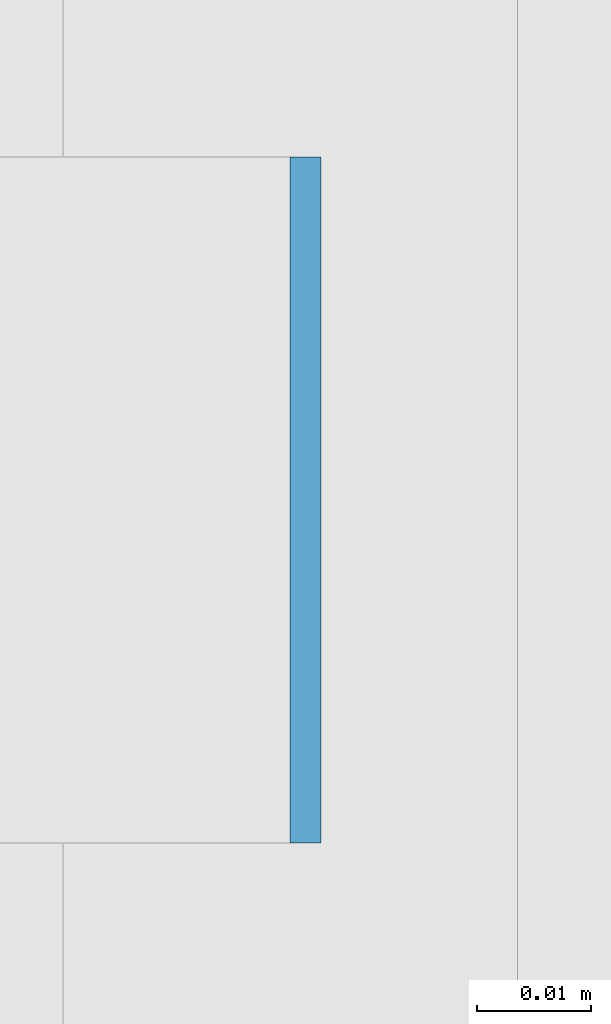
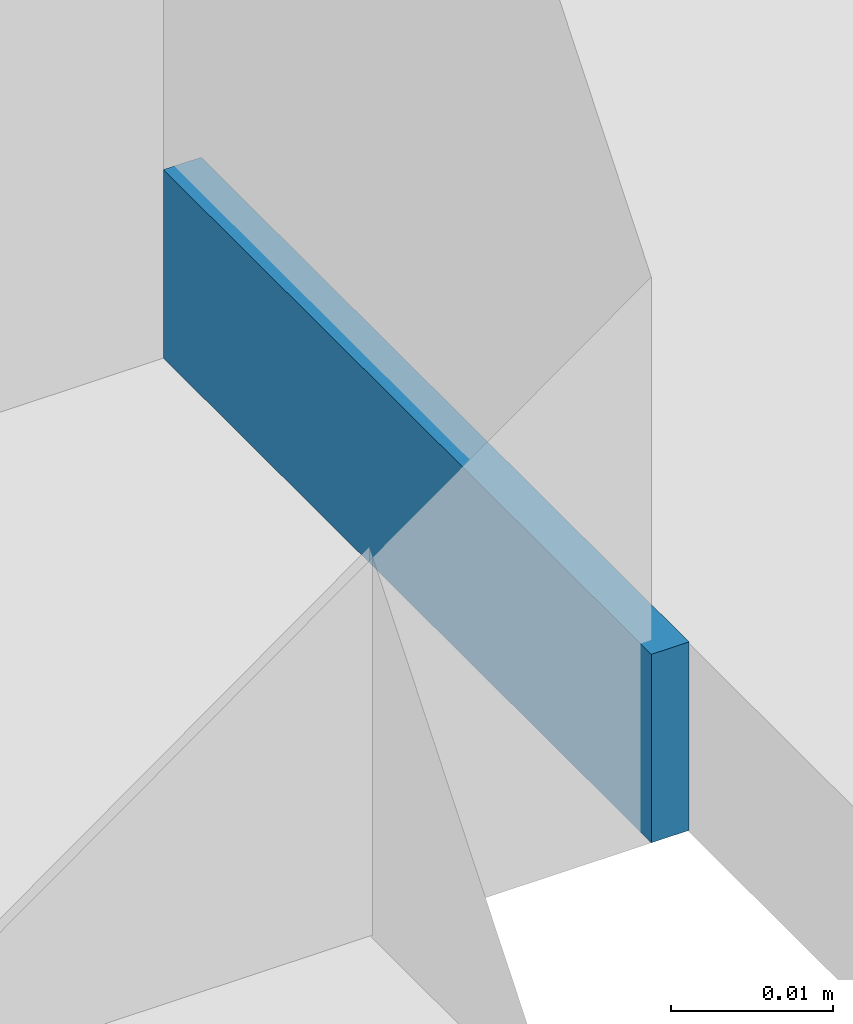
# One storey, part 392 of 646: 1 discrete accessory.
"""IFC4 building model written with IfcOpenShell, lengths in metres."""

import ifcopenshell
import ifcopenshell.guid

model = None  # the IFC model being written
_history = None  # IfcOwnerHistory: only IFC2X3 demands one
_inside = {}  # id of a spatial element -> (the spatial element, [elements in it])
_under = {}  # id of a project, library or spatial element -> (it, [spatial elements below it])
_declared = {}  # id of a project -> (the project, [libraries it declares])
_typed = {}  # id of a type object -> (the type object, [elements of that type])
_made_of = {}  # id of a material, layer set ... -> (it, [elements and type objects made of it])


def new_model(schema):
    """Start an empty IFC model of exactly this schema.

    Asked for "IFC4X3", IfcOpenShell would pick the latest addendum, in which some entities
    have other attributes; the version numbers below select the first issue.
    IFC2X3 requires an IfcOwnerHistory on every rooted entity: one is made here for all.
    """
    global model, _history
    if schema == "IFC4X3":
        model = ifcopenshell.file(schema_version=(4, 3, 0, 0))
    else:
        model = ifcopenshell.file(schema=schema)
    _inside.clear()
    _under.clear()
    _declared.clear()
    _typed.clear()
    _made_of.clear()
    _history = None
    if model.schema == "IFC2X3":
        org = make("IfcOrganization", Name="unknown")
        user = make(
            "IfcPersonAndOrganization",
            ThePerson=make("IfcPerson", FamilyName="unknown"),
            TheOrganization=org,
        )
        app = make(
            "IfcApplication",
            ApplicationDeveloper=org,
            Version="unknown",
            ApplicationFullName="unknown",
            ApplicationIdentifier="unknown",
        )
        _history = make(
            "IfcOwnerHistory",
            OwningUser=user,
            OwningApplication=app,
            ChangeAction="ADDED",
            CreationDate=0,
        )
    return model


def make(cls, **values):
    """One entity of the class cls with the attributes given. An attribute that is None is left unset."""
    return model.create_entity(
        cls, **{name: value for name, value in values.items() if value is not None}
    )


def rooted(cls, **values):
    """An entity with a GlobalId (a new one), such as an element, a storey or a relation."""
    return make(cls, GlobalId=ifcopenshell.guid.new(), OwnerHistory=_history, **values)


def si_unit(unit_type, name, prefix=None):
    """IfcSIUnit, for example si_unit("LENGTHUNIT", "METRE", prefix="MILLI")."""
    return make("IfcSIUnit", UnitType=unit_type, Prefix=prefix, Name=name)


def assignment(units):
    """IfcUnitAssignment: the units of a project."""
    return None if units is None else make("IfcUnitAssignment", Units=units)


def point(xyz):
    """IfcCartesianPoint."""
    return None if xyz is None else make("IfcCartesianPoint", Coordinates=xyz)


def direction(xyz):
    """IfcDirection."""
    return None if xyz is None else make("IfcDirection", DirectionRatios=xyz)


def frame(location, z_axis=None, x_axis=None):
    """IfcAxis2Placement3D, a coordinate frame: its origin and axes. An axis left out is left unset."""
    return make(
        "IfcAxis2Placement3D",
        Location=point(location),
        Axis=direction(z_axis),
        RefDirection=direction(x_axis),
    )


def frame_2d(location, x_axis=None):
    """IfcAxis2Placement2D, a coordinate frame in the plane: its origin and x axis."""
    return make(
        "IfcAxis2Placement2D", Location=point(location), RefDirection=direction(x_axis)
    )


def origin():
    """The frame at (0, 0, 0) with its axes left unset."""
    return frame((0.0, 0.0, 0.0))


def origin_2d():
    """The frame at (0, 0) in the plane with its x axis left unset."""
    return frame_2d((0.0, 0.0))


def place(relative_to, where):
    """IfcLocalPlacement: puts the frame where relative to a parent placement (None: the world)."""
    return make(
        "IfcLocalPlacement", PlacementRelTo=relative_to, RelativePlacement=where
    )


def context(
    kind, dimensions, precision=None, world=None, true_north=None, identifier=None
):
    """IfcGeometricRepresentationContext, for example the 3D "Model" context."""
    return make(
        "IfcGeometricRepresentationContext",
        ContextIdentifier=identifier,
        ContextType=kind,
        CoordinateSpaceDimension=dimensions,
        Precision=precision,
        WorldCoordinateSystem=world,
        TrueNorth=true_north,
    )


def subcontext(parent, identifier, kind, view, scale=None):
    """IfcGeometricRepresentationSubContext, for example "Body" below "Model"."""
    return make(
        "IfcGeometricRepresentationSubContext",
        ContextIdentifier=identifier,
        ContextType=kind,
        ParentContext=parent,
        TargetScale=scale,
        TargetView=view,
    )


def project(units=None, contexts=None):
    """IfcProject with its units and contexts."""
    return rooted(
        "IfcProject",
        Name="project",
        RepresentationContexts=contexts,
        UnitsInContext=assignment(units),
    )


def spatial(cls, under=None, at=None, **own):
    """A site, building, storey or space (cls), placed at a placement, below another one or the project."""
    s = rooted(cls, ObjectPlacement=at, **own)
    if under is not None:
        _under.setdefault(under.id(), (under, []))[1].append(s)
    return s


def profile(cls, at=None, kind="AREA", **sizes):
    """A parametric profile (cls). Its sizes go by their IFC names, for example OverallWidth=200.0."""
    return make(cls, ProfileType=kind, Position=at, **sizes)


def rectangle(**sizes):
    """IfcRectangleProfileDef."""
    return profile("IfcRectangleProfileDef", **sizes)


def extrude(swept, where, along, depth):
    """IfcExtrudedAreaSolid: the profile swept, set in the frame where, extruded along a direction by depth."""
    return make(
        "IfcExtrudedAreaSolid",
        SweptArea=swept,
        Position=where,
        ExtrudedDirection=direction(along),
        Depth=depth,
    )


def shape(context_of_items, identifier, shape_type, items):
    """IfcShapeRepresentation: the items that make up one representation, for example the "Body"."""
    return make(
        "IfcShapeRepresentation",
        ContextOfItems=context_of_items,
        RepresentationIdentifier=identifier,
        RepresentationType=shape_type,
        Items=items,
    )


def material(Name=None, Category=None):
    """IfcMaterial."""
    return make("IfcMaterial", Name=Name, Category=Category)


def made_of(thing, what):
    """Note that an element or type object is made of a material, layer set ...; save() writes the relation."""
    if what is not None:
        _made_of.setdefault(what.id(), (what, []))[1].append(thing)
    return thing


def type_object(cls, material=None, **own):
    """A type object (cls), such as IfcWallType, which elements share."""
    return made_of(rooted(cls, **own), material)


def element(
    cls,
    number,
    at=None,
    inside=None,
    cuts=None,
    type_object=None,
    material=None,
    context=None,
    identifier="Body",
    shape_type=None,
    held_by="IfcProductDefinitionShape",
    body=None,
    shapes=None,
    **own,
):
    """One element of the class cls, such as IfcWall. Its Tag is "e" and its number.

    at: its placement. inside: the storey or other place that contains it. cuts: it is an
    opening in that element (IfcRelVoidsElement). A single representation is given by context,
    identifier, shape_type and body (its items); several are given by shapes. held_by: the class
    of the entity that holds the representations. save() writes the other relations.
    """
    e = rooted(cls, Tag="e%d" % number, ObjectPlacement=at, **own)
    if body is not None:
        shapes = [shape(context, identifier, shape_type, body)]
    if shapes is not None:
        e.Representation = make(held_by, Representations=shapes)
    if inside is not None:
        _inside.setdefault(inside.id(), (inside, []))[1].append(e)
    if cuts is not None:
        rooted(
            "IfcRelVoidsElement", RelatingBuildingElement=cuts, RelatedOpeningElement=e
        )
    if type_object is not None:
        _typed.setdefault(type_object.id(), (type_object, []))[1].append(e)
    return made_of(e, material)


def aggregate(whole, parts):
    """IfcRelAggregates: a whole, such as a stair, and the parts it consists of."""
    return rooted("IfcRelAggregates", RelatingObject=whole, RelatedObjects=parts)


def save(model, path):
    """Write the relations noted so far, then the file.

    IfcRelAggregates (storeys below a building ...), IfcRelContainedInSpatialStructure (elements
    in a storey), IfcRelDefinesByType, IfcRelAssociatesMaterial and IfcRelDeclares: one each for
    every whole, place, type object, material and project.
    """
    for whole, parts in _under.values():
        aggregate(whole, parts)
    for where, things in _inside.values():
        rooted(
            "IfcRelContainedInSpatialStructure",
            RelatedElements=things,
            RelatingStructure=where,
        )
    for kind, things in _typed.values():
        rooted("IfcRelDefinesByType", RelatedObjects=things, RelatingType=kind)
    for what, things in _made_of.values():
        rooted("IfcRelAssociatesMaterial", RelatedObjects=things, RelatingMaterial=what)
    for by, libraries in _declared.values():
        rooted("IfcRelDeclares", RelatingContext=by, RelatedDefinitions=libraries)
    model.write(path)


model = new_model("IFC4")

# Units and contexts
model_context = context("Model", 3, precision=1e-05, world=origin(), true_north=direction((0.0, 1.0)))
body_context = subcontext(model_context, "Body", "Model", "MODEL_VIEW")
ifc_project = project(units=[si_unit("LENGTHUNIT", "METRE"), si_unit("AREAUNIT", "SQUARE_METRE"), si_unit("VOLUMEUNIT", "CUBIC_METRE"), si_unit("PLANEANGLEUNIT", "RADIAN"), si_unit("MASSUNIT", "GRAM", prefix="KILO")], contexts=[model_context])

# Site, building, storey
site_placement = place(None, origin())
site = spatial("IfcSite", under=ifc_project, at=site_placement, CompositionType="ELEMENT")
building_placement = place(site_placement, origin())
building = spatial("IfcBuilding", under=site, at=building_placement, Name="Silverbay Arena", CompositionType="ELEMENT")
storey_placement = place(building_placement, frame((0.0, 0.0, 33.5)))
storey = spatial("IfcBuildingStorey", under=building, at=storey_placement, Name="L05", CompositionType="ELEMENT", Elevation=33.5)

# Discrete accessory
ifc_material = material(Name="Steel S355", Category="steel")
discrete_accessory_type = type_object("IfcDiscreteAccessoryType", Name="Steel bracket plate", PredefinedType="BRACKET", material=ifc_material)
discrete_accessory_placement = place(storey_placement, frame((53.871337890625, 114.428466796875, 4.0), z_axis=(0.0, 0.0, 1.0), x_axis=(1.0, 0.0, 0.0)))
element("IfcDiscreteAccessory", 1, at=discrete_accessory_placement, inside=storey, type_object=discrete_accessory_type, Name="Curtain wall packing plate", PredefinedType="BRACKET", context=body_context, shape_type="SweptSolid", body=[
    extrude(rectangle(XDim=0.002685546875, YDim=0.06005859375, at=origin_2d()), origin(), (0.0, 0.0, 1.0), 0.01416015625),
])

save(model, "model.ifc")
